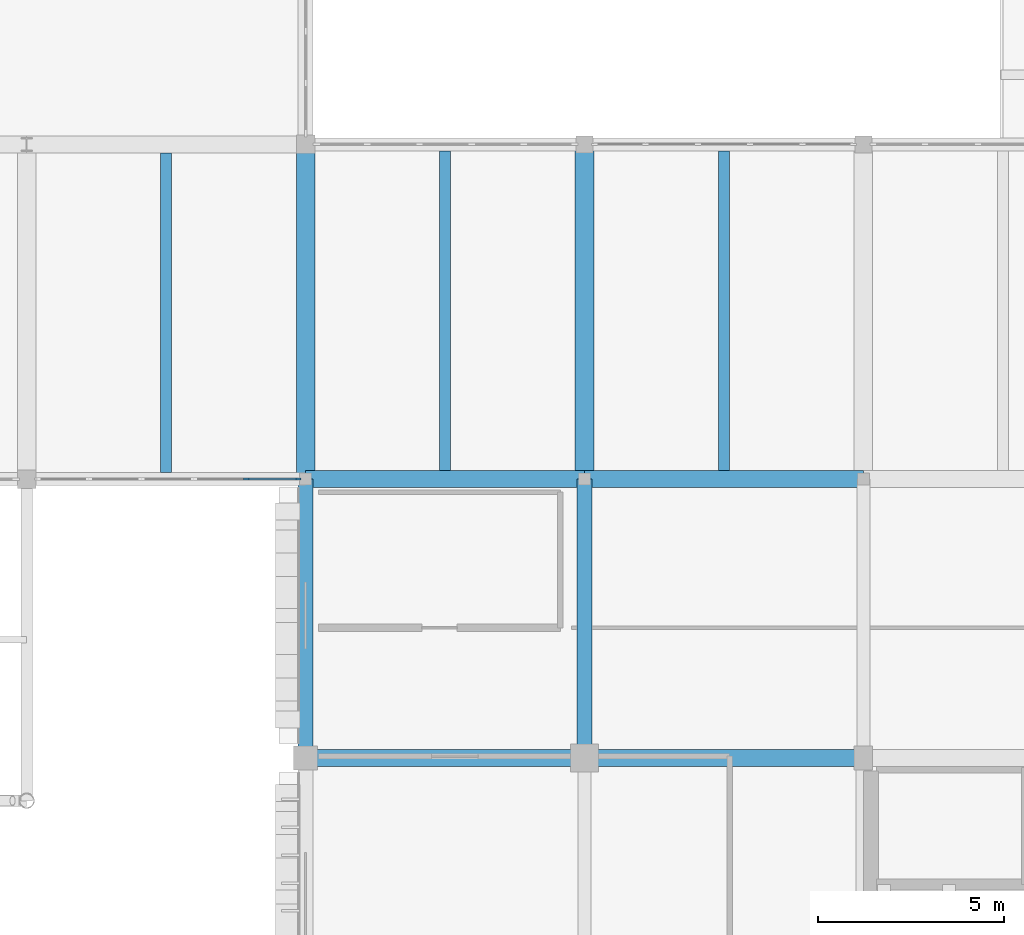
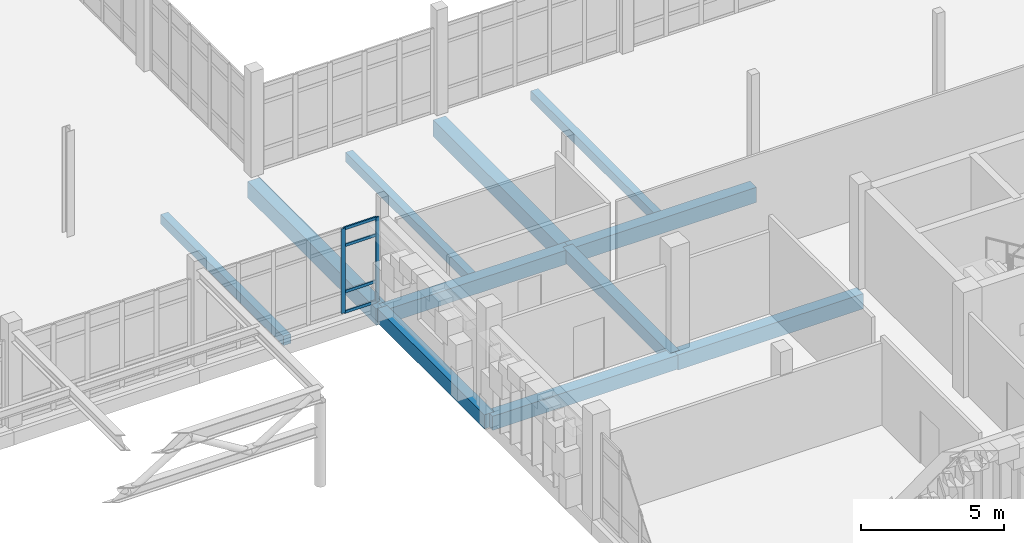
# One storey, part 32 of 128: 11 beams, 6 members, 1 element without a shape of its own.
"""IFC4 building model written with IfcOpenShell, lengths in metres."""

from ifc_helpers import new_model, si_unit, direction, frame, origin, origin_2d, place, context, subcontext, project, spatial, rectangle, extrude, material, layer, layer_set, material_profile, profile_set, type_object, element, aggregate, save


model = new_model("IFC4")

# Units and contexts
model_context = context("Model", 3, precision=1e-05, world=origin(), true_north=direction((0.0, 1.0)))
body_context = subcontext(model_context, "Body", "Model", "MODEL_VIEW")
ifc_project = project(units=[si_unit("LENGTHUNIT", "METRE"), si_unit("AREAUNIT", "SQUARE_METRE"), si_unit("VOLUMEUNIT", "CUBIC_METRE"), si_unit("PLANEANGLEUNIT", "RADIAN"), si_unit("MASSUNIT", "GRAM", prefix="KILO")], contexts=[model_context])

# Site, building, storey
site_placement = place(None, origin())
site = spatial("IfcSite", under=ifc_project, at=site_placement, CompositionType="ELEMENT")
building_placement = place(site_placement, origin())
building = spatial("IfcBuilding", under=site, at=building_placement, Name="Dalvernix Boulevard General Hospital", CompositionType="ELEMENT")
storey_placement = place(building_placement, frame((0.0, 0.0, 4.800048828125)))
storey = spatial("IfcBuildingStorey", under=building, at=storey_placement, Name="L01", CompositionType="ELEMENT", Elevation=4.800048828125)

# Beams
ifc_material_1 = material(Name="Concrete C35/45", Category="concrete")
ifc_material_profile_1 = material_profile(ifc_material_1, rectangle(XDim=0.5, YDim=0.699951171875, at=origin_2d()), Name="RCB 500x700")
ifc_profile_set_1 = profile_set([ifc_material_profile_1], Name="Concrete C35/45")
beam_type_1 = type_object("IfcBeamType", Name="BM-B-01-I", PredefinedType="BEAM", material=ifc_profile_set_1)
for number, where, z_axis, x_axis, name in (
    (1, (112.5, 22.5, -0.650146484375), (0.0, 1.0, 0.0), (-1.0, 0.0, 0.0), "L01 N-S girder 16:D-E"),
    (2, (120.0, 22.5, -0.650146484375), (0.0, 1.0, 0.0), (-1.0, 0.0, 0.0), "L01 N-S girder 17:D-E"),
):
    element("IfcBeam", number, at=place(storey_placement, frame(where, z_axis=z_axis, x_axis=x_axis)), inside=storey, type_object=beam_type_1, Name=name, PredefinedType="BEAM", context=body_context, shape_type="SweptSolid", body=[
        extrude(rectangle(XDim=0.5, YDim=0.699951171875, at=origin_2d()), origin(), (0.0, 0.0, 1.0), 9.0),
    ])
ifc_material_profile_2 = material_profile(ifc_material_1, rectangle(XDim=0.449951171875, YDim=0.64990234375, at=origin_2d()), Name="RCB 450x650")
ifc_profile_set_2 = profile_set([ifc_material_profile_2], Name="Concrete C35/45")
beam_type_2 = type_object("IfcBeamType", Name="BM-B-03-I", PredefinedType="BEAM", material=ifc_profile_set_2)
for number, where, z_axis, x_axis, name in (
    (3, (120.0, 15.0, -0.625), (1.0, 0.0, 0.0), (0.0, 1.0, 0.0), "L01 E-W girder C:17-18"),
    (4, (120.0, 22.5, -0.625), (1.0, 0.0, 0.0), (0.0, 1.0, 0.0), "L01 E-W girder D:17-18"),
):
    element("IfcBeam", number, at=place(storey_placement, frame(where, z_axis=z_axis, x_axis=x_axis)), inside=storey, type_object=beam_type_2, Name=name, PredefinedType="BEAM", context=body_context, shape_type="SweptSolid", body=[
        extrude(rectangle(XDim=0.449951171875, YDim=0.64990234375, at=origin_2d()), origin(), (0.0, 0.0, 1.0), 7.5),
    ])
ifc_material_profile_3 = material_profile(ifc_material_1, rectangle(XDim=0.449951171875, YDim=0.60009765625, at=origin_2d()), Name="RCB 450x600")
ifc_profile_set_3 = profile_set([ifc_material_profile_3], Name="Concrete C35/45")
beam_type_3 = type_object("IfcBeamType", Name="BM-B-04-I", PredefinedType="BEAM", material=ifc_profile_set_3)
for number, where, z_axis, x_axis, name in (
    (5, (112.5, 15.0, -0.60009765625), (1.0, 0.0, 0.0), (0.0, 1.0, 0.0), "L01 E-W girder C:16-17"),
    (6, (112.5, 22.5, -0.60009765625), (1.0, 0.0, 0.0), (0.0, 1.0, 0.0), "L01 E-W girder D:16-17"),
):
    element("IfcBeam", number, at=place(storey_placement, frame(where, z_axis=z_axis, x_axis=x_axis)), inside=storey, type_object=beam_type_3, Name=name, PredefinedType="BEAM", context=body_context, shape_type="SweptSolid", body=[
        extrude(rectangle(XDim=0.449951171875, YDim=0.60009765625, at=origin_2d()), origin(), (0.0, 0.0, 1.0), 7.5),
    ])
ifc_material_profile_4 = material_profile(ifc_material_1, rectangle(XDim=0.39990234375, YDim=0.550048828125, at=origin_2d()), Name="RCB 400x550")
ifc_profile_set_4 = profile_set([ifc_material_profile_4], Name="Concrete C35/45")
beam_type_4 = type_object("IfcBeamType", Name="BM-B-06-I", PredefinedType="BEAM", material=ifc_profile_set_4)
beam_1_placement = place(storey_placement, frame((120.0, 15.0, -0.574951171875), z_axis=(0.0, 1.0, 0.0), x_axis=(-1.0, 0.0, 0.0)))
element("IfcBeam", 7, at=beam_1_placement, inside=storey, type_object=beam_type_4, Name="L01 N-S girder 17:C-D", PredefinedType="BEAM", context=body_context, shape_type="SweptSolid", body=[
    extrude(rectangle(XDim=0.39990234375, YDim=0.550048828125, at=origin_2d()), origin(), (0.0, 0.0, 1.0), 7.5),
])
ifc_material_profile_5 = material_profile(ifc_material_1, rectangle(XDim=0.300048828125, YDim=0.39990234375, at=origin_2d()), Name="RCB 300x400")
ifc_profile_set_5 = profile_set([ifc_material_profile_5], Name="Concrete C35/45")
beam_type_5 = type_object("IfcBeamType", Name="BM-JB-01", PredefinedType="JOIST", material=ifc_profile_set_5)
for number, where, z_axis, x_axis, name in (
    (8, (108.75, 22.675048828125, -0.5), (0.0, 1.0, 0.0), (-1.0, 0.0, 0.0), "L01 secondary floor beam 15-D"),
    (9, (116.25, 22.72509765625, -0.5), (0.0, 1.0, 0.0), (-1.0, 0.0, 0.0), "L01 secondary floor beam 16-D"),
    (10, (123.75, 22.72509765625, -0.5), (0.0, 1.0, 0.0), (-1.0, 0.0, 0.0), "L01 secondary floor beam 17-D"),
):
    element("IfcBeam", number, at=place(storey_placement, frame(where, z_axis=z_axis, x_axis=x_axis)), inside=storey, type_object=beam_type_5, Name=name, PredefinedType="JOIST", context=body_context, shape_type="SweptSolid", body=[
        extrude(rectangle(XDim=0.300048828125, YDim=0.39990234375, at=origin_2d()), origin(), (0.0, 0.0, 1.0), 8.599853515625),
    ])
ifc_material_profile_6 = material_profile(ifc_material_1, rectangle(XDim=0.39990234375, YDim=0.60009765625, at=origin_2d()), Name="RCB 400x600")
ifc_profile_set_6 = profile_set([ifc_material_profile_6], Name="Concrete C35/45")
beam_type_6 = type_object("IfcBeamType", Name="BM-SB-02-E", PredefinedType="SPANDREL", material=ifc_profile_set_6)
beam_2_placement = place(storey_placement, frame((112.5, 15.0, -0.60009765625), z_axis=(0.0, 1.0, 0.0), x_axis=(-1.0, 0.0, 0.0)))
element("IfcBeam", 11, at=beam_2_placement, inside=storey, type_object=beam_type_6, Name="L01 N-S girder 16:C-D", PredefinedType="SPANDREL", context=body_context, shape_type="SweptSolid", body=[
    extrude(rectangle(XDim=0.39990234375, YDim=0.60009765625, at=origin_2d()), origin(), (0.0, 0.0, 1.0), 7.5),
])

# Curtain wall, members
ifc_material_2 = material(Name="Thermally broken aluminium and solar-control glass curtain wall", Category="aluminium")
ifc_layer = layer(ifc_material_2, 0.159912109375)
ifc_layer_set = layer_set([ifc_layer], Name="Thermally broken aluminium and solar-control glass curtain wall (CW-CW-A-71x36)")
curtain_wall_type = type_object("IfcCurtainWallType", Name="CW-CW-A-71x36", PredefinedType="USERDEFINED", material=ifc_layer_set)
curtain_wall_placement = place(storey_placement, origin())
curtain_wall = element("IfcCurtainWall", 12, at=curtain_wall_placement, inside=storey, type_object=curtain_wall_type, Name="L01 curtain wall CW-A-71x36 14-3", ObjectType="GLAZED FACADE", PredefinedType="USERDEFINED")
ifc_material_3 = material(Name="Aluminium EN AW-6060", Category="aluminium")
ifc_material_profile_7 = material_profile(ifc_material_3, rectangle(XDim=0.06005859375, YDim=0.159912109375, at=origin_2d()), Name="ALU MULL 60x160")
ifc_profile_set_7 = profile_set([ifc_material_profile_7], Name="Aluminium EN AW-6060")
member_type_1 = type_object("IfcMemberType", Name="MEM-CW-M1", PredefinedType="MULLION", material=ifc_profile_set_7)
member_1_placement = place(storey_placement, frame((112.300048828125, 22.5, 0.0), z_axis=(0.0, 0.0, 1.0), x_axis=(0.0, -1.0, 0.0)))
member_1 = element("IfcMember", 13, at=member_1_placement, type_object=member_type_1, Name="CW-A-71x36 mullion 1", PredefinedType="MULLION", context=body_context, shape_type="SweptSolid", body=[
    extrude(rectangle(XDim=0.06005859375, YDim=0.159912109375, at=origin_2d()), origin(), (0.0, 0.0, 1.0), 3.6298828125),
])
member_2_placement = place(storey_placement, frame((110.916015625, 22.5, 0.0), z_axis=(0.0, 0.0, 1.0), x_axis=(0.0, -1.0, 0.0)))
member_2 = element("IfcMember", 14, at=member_2_placement, type_object=member_type_1, Name="CW-A-71x36 mullion 2", PredefinedType="MULLION", context=body_context, shape_type="SweptSolid", body=[
    extrude(rectangle(XDim=0.06005859375, YDim=0.159912109375, at=origin_2d()), origin(), (0.0, 0.0, 1.0), 3.6298828125),
])
ifc_material_profile_8 = material_profile(ifc_material_3, rectangle(XDim=0.06005859375, YDim=0.1201171875, at=origin_2d()), Name="ALU TRAN 60x120")
ifc_profile_set_8 = profile_set([ifc_material_profile_8], Name="Aluminium EN AW-6060")
member_type_2 = type_object("IfcMemberType", Name="MEM-CW-T1", PredefinedType="USERDEFINED", material=ifc_profile_set_8)
member_3_placement = place(storey_placement, frame((112.27001953125, 22.5, 0.030029296875), z_axis=(-1.0, 0.0, 0.0), x_axis=(0.0, -1.0, 0.0)))
member_3 = element("IfcMember", 15, at=member_3_placement, type_object=member_type_2, Name="CW-A-71x36 transom 1.1", ObjectType="TRANSOM", PredefinedType="USERDEFINED", context=body_context, shape_type="SweptSolid", body=[
    extrude(rectangle(XDim=0.06005859375, YDim=0.1201171875, at=origin_2d()), origin(), (0.0, 0.0, 1.0), 1.323974609375),
])
member_4_placement = place(storey_placement, frame((112.27001953125, 22.5, 0.89990234375), z_axis=(-1.0, 0.0, 0.0), x_axis=(0.0, -1.0, 0.0)))
member_4 = element("IfcMember", 16, at=member_4_placement, type_object=member_type_2, Name="CW-A-71x36 transom 1.2", ObjectType="TRANSOM", PredefinedType="USERDEFINED", context=body_context, shape_type="SweptSolid", body=[
    extrude(rectangle(XDim=0.06005859375, YDim=0.1201171875, at=origin_2d()), origin(), (0.0, 0.0, 1.0), 1.323974609375),
])
member_5_placement = place(storey_placement, frame((112.27001953125, 22.5, 2.8798828125), z_axis=(-1.0, 0.0, 0.0), x_axis=(0.0, -1.0, 0.0)))
member_5 = element("IfcMember", 17, at=member_5_placement, type_object=member_type_2, Name="CW-A-71x36 transom 1.3", ObjectType="TRANSOM", PredefinedType="USERDEFINED", context=body_context, shape_type="SweptSolid", body=[
    extrude(rectangle(XDim=0.06005859375, YDim=0.1201171875, at=origin_2d()), origin(), (0.0, 0.0, 1.0), 1.323974609375),
])
member_6_placement = place(storey_placement, frame((112.27001953125, 22.5, 3.599853515625), z_axis=(-1.0, 0.0, 0.0), x_axis=(0.0, -1.0, 0.0)))
member_6 = element("IfcMember", 18, at=member_6_placement, type_object=member_type_2, Name="CW-A-71x36 transom 1.4", ObjectType="TRANSOM", PredefinedType="USERDEFINED", context=body_context, shape_type="SweptSolid", body=[
    extrude(rectangle(XDim=0.06005859375, YDim=0.1201171875, at=origin_2d()), origin(), (0.0, 0.0, 1.0), 1.323974609375),
])
aggregate(curtain_wall, [member_1, member_2, member_3, member_4, member_5, member_6])

save(model, "model.ifc")
